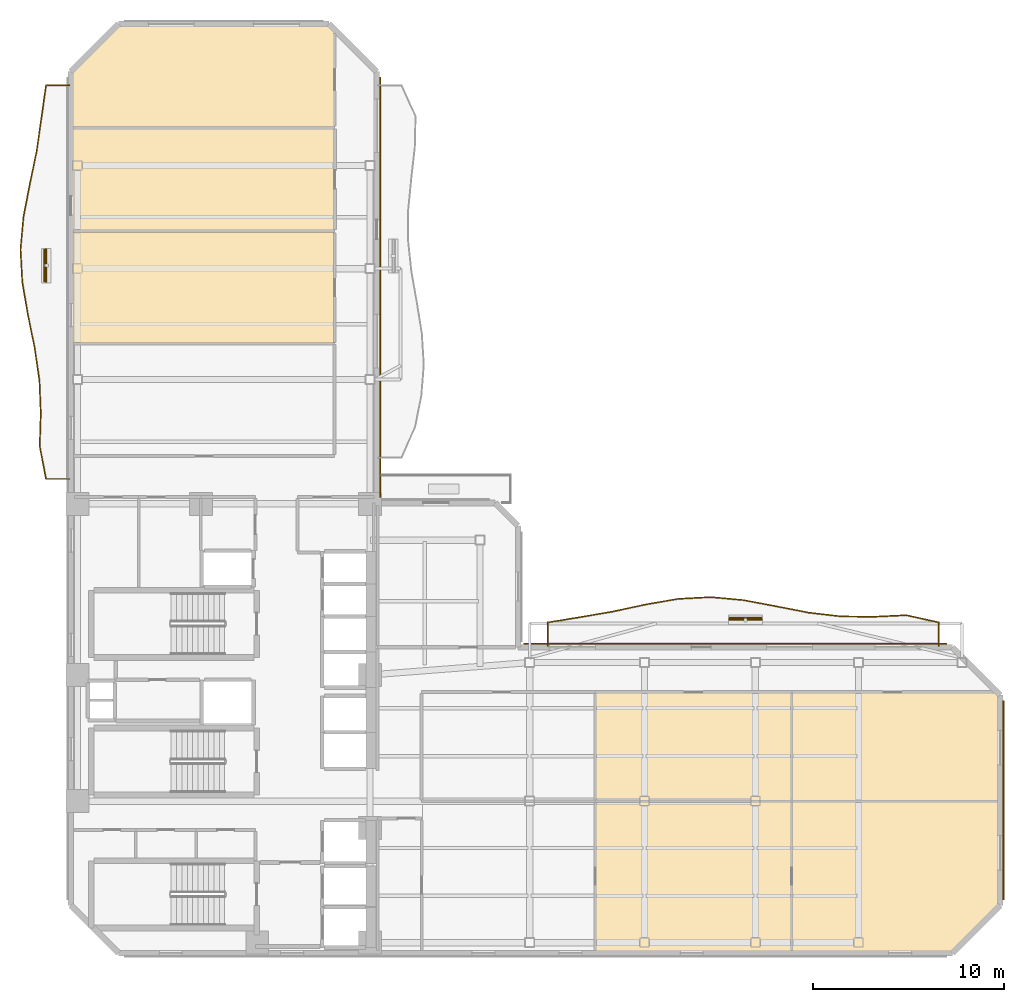
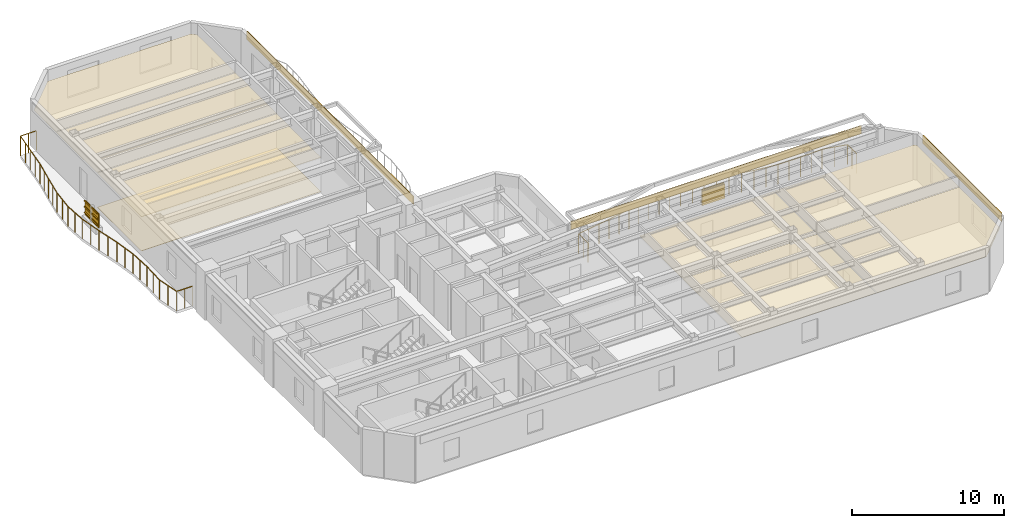
# One storey, part 11 of 12: 11 coverings, 8 shading devices, 2 railings.
"""IFC4 building model written with IfcOpenShell, lengths in metres."""

from ifc_helpers import new_model, si_unit, direction, frame, origin, origin_2d, place, context, subcontext, project, spatial, polyline, rectangle, outline, extrude, material, layer, layer_set, material_profile, profile_set, type_object, element, save


model = new_model("IFC4")

# Units and contexts
model_context = context("Model", 3, precision=1e-05, world=origin(), true_north=direction((0.0, 1.0)))
body_context = subcontext(model_context, "Body", "Model", "MODEL_VIEW")
ifc_project = project(units=[si_unit("LENGTHUNIT", "METRE"), si_unit("AREAUNIT", "SQUARE_METRE"), si_unit("VOLUMEUNIT", "CUBIC_METRE"), si_unit("PLANEANGLEUNIT", "RADIAN"), si_unit("MASSUNIT", "GRAM", prefix="KILO")], contexts=[model_context])

# Site, building, storey
site_placement = place(None, origin())
site = spatial("IfcSite", under=ifc_project, at=site_placement, CompositionType="ELEMENT")
building_placement = place(site_placement, origin())
building = spatial("IfcBuilding", under=site, at=building_placement, Name="Mawjaban Terraces University", CompositionType="ELEMENT")
storey_placement = place(building_placement, frame((0.0, 0.0, 150.199951171875)))
storey = spatial("IfcBuildingStorey", under=building, at=storey_placement, Name="L36", CompositionType="ELEMENT", Elevation=150.199951171875)

# Coverings
ifc_material_1 = material(Name="Acoustic mineral fibre ceiling tile", Category="masonry")
ifc_layer_1 = layer(ifc_material_1, 0.02001953125)
ifc_layer_set_1 = layer_set([ifc_layer_1], Name="Acoustic mineral fibre ceiling tile")
covering_type_1 = type_object("IfcCoveringType", Name="AcousticMineralCeiling_20", PredefinedType="CEILING", material=ifc_layer_set_1)
covering_1_placement = place(storey_placement, frame((0.0, 0.0, 2.75)))
element("IfcCovering", 1, at=covering_1_placement, inside=storey, type_object=covering_type_1, Name="L36 Academic Counseling Room 4 Acoustic Ceiling", PredefinedType="CEILING", context=body_context, shape_type="SweptSolid", body=[
    extrude(outline(polyline([(49.455078125, 0.114990234375), (59.679931640625, 0.114990234375), (59.679931640625, 7.919921875), (49.455078125, 7.919921875), (49.455078125, 0.114990234375)])), origin(), (0.0, 0.0, 1.0), 0.02001953125),
])
covering_2_placement = place(storey_placement, frame((0.0, 0.0, 2.75)))
element("IfcCovering", 2, at=covering_2_placement, inside=storey, type_object=covering_type_1, Name="L36 Faculty Office 5 Acoustic Ceiling", PredefinedType="CEILING", context=body_context, shape_type="SweptSolid", body=[
    extrude(outline(polyline([(59.679931640625, 7.97998046875), (59.679931640625, 13.6201171875), (49.455078125, 13.6201171875), (49.455078125, 7.97998046875), (59.679931640625, 7.97998046875)])), origin(), (0.0, 0.0, 1.0), 0.02001953125),
])
covering_3_placement = place(storey_placement, frame((0.0, 0.0, 2.75)))
element("IfcCovering", 3, at=covering_3_placement, inside=storey, type_object=covering_type_1, Name="L36 Departmental Office 6 Acoustic Ceiling", PredefinedType="CEILING", context=body_context, shape_type="SweptSolid", body=[
    extrude(outline(polyline([(59.739990234375, 0.114990234375), (68.052978515625, 0.114990234375), (70.485107421875, 2.547119140625), (70.485107421875, 7.919921875), (59.739990234375, 7.919921875), (59.739990234375, 0.114990234375)])), origin(), (0.0, 0.0, 1.0), 0.02001953125),
])
covering_4_placement = place(storey_placement, frame((0.0, 0.0, 2.75)))
element("IfcCovering", 4, at=covering_4_placement, inside=storey, type_object=covering_type_1, Name="L36 Faculty Office 7 Acoustic Ceiling", PredefinedType="CEILING", context=body_context, shape_type="SweptSolid", body=[
    extrude(outline(polyline([(70.485107421875, 7.97998046875), (70.485107421875, 13.452880859375), (70.318115234375, 13.6201171875), (59.739990234375, 13.6201171875), (59.739990234375, 7.97998046875), (70.485107421875, 7.97998046875)])), origin(), (0.0, 0.0, 1.0), 0.02001953125),
])
covering_5_placement = place(storey_placement, frame((0.0, 0.0, 2.75)))
element("IfcCovering", 5, at=covering_5_placement, inside=storey, type_object=covering_type_1, Name="L36 Quiet Reading Room 9 Acoustic Ceiling", PredefinedType="CEILING", context=body_context, shape_type="SweptSolid", body=[
    extrude(outline(polyline([(22.114990234375, 37.721923828125), (22.114990234375, 31.906005859375), (35.77001953125, 31.906005859375), (35.77001953125, 37.721923828125), (22.114990234375, 37.721923828125)])), origin(), (0.0, 0.0, 1.0), 0.02001953125),
])
covering_6_placement = place(storey_placement, frame((0.0, 0.0, 2.75)))
element("IfcCovering", 6, at=covering_6_placement, inside=storey, type_object=covering_type_1, Name="L36 Media Workshop 10 Acoustic Ceiling", PredefinedType="CEILING", context=body_context, shape_type="SweptSolid", body=[
    extrude(outline(polyline([(22.114990234375, 43.14599609375), (22.114990234375, 37.781982421875), (35.77001953125, 37.781982421875), (35.77001953125, 43.14599609375), (22.114990234375, 43.14599609375)])), origin(), (0.0, 0.0, 1.0), 0.02001953125),
])
covering_7_placement = place(storey_placement, frame((0.0, 0.0, 2.75)))
element("IfcCovering", 7, at=covering_7_placement, inside=storey, type_object=covering_type_1, Name="L36 Teaching Laboratory 11 Acoustic Ceiling", PredefinedType="CEILING", context=body_context, shape_type="SweptSolid", body=[
    extrude(outline(polyline([(35.77001953125, 48.16796875), (35.452880859375, 48.485107421875), (24.547119140625, 48.485107421875), (22.114990234375, 46.052978515625), (22.114990234375, 43.2060546875), (35.77001953125, 43.2060546875), (35.77001953125, 48.16796875)])), origin(), (0.0, 0.0, 1.0), 0.02001953125),
])

# Railings
ifc_material_2 = material(Name="Galvanised powder-coated steel S355", Category="steel")
railing_type = type_object("IfcRailingType", Name="BalconyBalustrade_1600", PredefinedType="BALUSTRADE", material=ifc_material_2)
railing_1_placement = place(storey_placement, frame((21.919921875, 24.800048828125, 0.0)))
element("IfcRailing", 8, at=railing_1_placement, inside=storey, type_object=railing_type, Name="L36 Balcony Guardrail west", PredefinedType="BALUSTRADE", context=body_context, shape_type="SweptSolid", body=[
    extrude(rectangle(XDim=0.048095703125, YDim=0.048095703125, at=origin_2d()), frame((0.0, 0.0, 1.576171875), z_axis=(-1.0, 0.0, 0.0), x_axis=(0.0, -1.0, 0.0)), (0.0, 0.0, 1.0), 1.219970703125),
    extrude(rectangle(XDim=0.048095703125, YDim=0.048095703125, at=origin_2d()), frame((-1.219970703125, 0.0, 1.576171875), z_axis=(-0.188106664476, 0.982148605242, 0.0), x_axis=(-0.982148605242, -0.188106664476, 0.0)), (0.0, 0.0, 1.0), 1.748291015625),
    extrude(rectangle(XDim=0.048095703125, YDim=0.048095703125, at=origin_2d()), frame((-1.548828125, 1.717041015625, 1.576171875), z_axis=(0.03143011033, 0.999505952041, 0.0), x_axis=(-0.999505952041, 0.03143011033, 0.0)), (0.0, 0.0, 1.0), 1.716552734375),
    extrude(rectangle(XDim=0.048095703125, YDim=0.048095703125, at=origin_2d()), frame((-1.494873046875, 3.432861328125, 1.576171875), z_axis=(-0.04020633666, 0.999191398328, 0.0), x_axis=(-0.999191398328, -0.04020633666, 0.0)), (0.0, 0.0, 1.0), 1.718505859375),
    extrude(rectangle(XDim=0.048095703125, YDim=0.048095703125, at=origin_2d()), frame((-1.56396484375, 5.14990234375, 1.576171875), z_axis=(-0.144631200017, 0.989485632024, 0.0), x_axis=(-0.989485632024, -0.144631200017, 0.0)), (0.0, 0.0, 1.0), 1.7353515625),
    extrude(rectangle(XDim=0.048095703125, YDim=0.048095703125, at=origin_2d()), frame((-1.81494140625, 6.866943359375, 1.576171875), z_axis=(-0.200964718739, 0.9795984799, 0.0), x_axis=(-0.9795984799, -0.200964718739, 0.0)), (0.0, 0.0, 1.0), 1.751708984375),
    extrude(rectangle(XDim=0.048095703125, YDim=0.048095703125, at=origin_2d()), frame((-2.1669921875, 8.5830078125, 1.576171875), z_axis=(-0.168738195739, 0.985660905839, 0.0), x_axis=(-0.985660905839, -0.168738195739, 0.0)), (0.0, 0.0, 1.0), 1.741943359375),
    extrude(rectangle(XDim=0.048095703125, YDim=0.048095703125, at=origin_2d()), frame((-2.4609375, 10.300048828125, 1.576171875), z_axis=(-0.05410153618, 0.998535439423, 0.0), x_axis=(-0.998535439423, -0.05410153618, 0.0)), (0.0, 0.0, 1.0), 1.71923828125),
    extrude(rectangle(XDim=0.048095703125, YDim=0.048095703125, at=origin_2d()), frame((-2.553955078125, 12.016845703125, 1.576171875), z_axis=(0.091659749456, 0.995790384735, 0.0), x_axis=(-0.995790384735, 0.091659749456, 0.0)), (0.0, 0.0, 1.0), 1.723388671875),
    extrude(rectangle(XDim=0.048095703125, YDim=0.048095703125, at=origin_2d()), frame((-2.39599609375, 13.73291015625, 1.576171875), z_axis=(0.190395148573, 0.981707536591, 0.0), x_axis=(-0.981707536591, 0.190395148573, 0.0)), (0.0, 0.0, 1.0), 1.7490234375),
    extrude(rectangle(XDim=0.048095703125, YDim=0.048095703125, at=origin_2d()), frame((-2.06298828125, 15.449951171875, 1.576171875), z_axis=(0.203659617405, 0.979041756126, 0.0), x_axis=(-0.979041756126, 0.203659617405, 0.0)), (0.0, 0.0, 1.0), 1.75390625),
    extrude(rectangle(XDim=0.048095703125, YDim=0.048095703125, at=origin_2d()), frame((-1.705810546875, 17.1669921875, 1.576171875), z_axis=(0.141815668625, 0.989893083182, 0.0), x_axis=(-0.989893083182, 0.141815668625, 0.0)), (0.0, 0.0, 1.0), 1.733642578125),
    extrude(rectangle(XDim=0.048095703125, YDim=0.048095703125, at=origin_2d()), frame((-1.4599609375, 18.883056640625, 1.576171875), z_axis=(0.138443408744, 0.990370346171, 0.0), x_axis=(-0.990370346171, 0.138443408744, 0.0)), (0.0, 0.0, 1.0), 1.7333984375),
    extrude(rectangle(XDim=0.048095703125, YDim=0.048095703125, at=origin_2d()), frame((-1.219970703125, 20.599853515625, 1.576171875), z_axis=(1.0, 0.0, 0.0), x_axis=(0.0, 1.0, 0.0)), (0.0, 0.0, 1.0), 1.219970703125),
    extrude(rectangle(XDim=0.0419921875, YDim=0.0419921875, at=origin_2d()), origin(), (0.0, 0.0, 1.0), 1.552001953125),
    extrude(rectangle(XDim=0.0419921875, YDim=0.0419921875, at=origin_2d()), frame((-0.60986328125, 0.0, 0.0)), (0.0, 0.0, 1.0), 1.552001953125),
    extrude(rectangle(XDim=0.0419921875, YDim=0.0419921875, at=origin_2d()), frame((-1.219970703125, 0.0, 0.0)), (0.0, 0.0, 1.0), 1.552001953125),
    extrude(rectangle(XDim=0.0419921875, YDim=0.0419921875, at=origin_2d()), frame((-1.38427734375, 0.8583984375, 0.0)), (0.0, 0.0, 1.0), 1.552001953125),
    extrude(rectangle(XDim=0.0419921875, YDim=0.0419921875, at=origin_2d()), frame((-1.548828125, 1.717041015625, 0.0)), (0.0, 0.0, 1.0), 1.552001953125),
    extrude(rectangle(XDim=0.0419921875, YDim=0.0419921875, at=origin_2d()), frame((-1.52197265625, 2.574951171875, 0.0)), (0.0, 0.0, 1.0), 1.552001953125),
    extrude(rectangle(XDim=0.0419921875, YDim=0.0419921875, at=origin_2d()), frame((-1.494873046875, 3.432861328125, 0.0)), (0.0, 0.0, 1.0), 1.552001953125),
    extrude(rectangle(XDim=0.0419921875, YDim=0.0419921875, at=origin_2d()), frame((-1.529296875, 4.29150390625, 0.0)), (0.0, 0.0, 1.0), 1.552001953125),
    extrude(rectangle(XDim=0.0419921875, YDim=0.0419921875, at=origin_2d()), frame((-1.56396484375, 5.14990234375, 0.0)), (0.0, 0.0, 1.0), 1.552001953125),
    extrude(rectangle(XDim=0.0419921875, YDim=0.0419921875, at=origin_2d()), frame((-1.689453125, 6.00830078125, 0.0)), (0.0, 0.0, 1.0), 1.552001953125),
    extrude(rectangle(XDim=0.0419921875, YDim=0.0419921875, at=origin_2d()), frame((-1.81494140625, 6.866943359375, 0.0)), (0.0, 0.0, 1.0), 1.552001953125),
    extrude(rectangle(XDim=0.0419921875, YDim=0.0419921875, at=origin_2d()), frame((-1.990966796875, 7.72509765625, 0.0)), (0.0, 0.0, 1.0), 1.552001953125),
    extrude(rectangle(XDim=0.0419921875, YDim=0.0419921875, at=origin_2d()), frame((-2.1669921875, 8.5830078125, 0.0)), (0.0, 0.0, 1.0), 1.552001953125),
    extrude(rectangle(XDim=0.0419921875, YDim=0.0419921875, at=origin_2d()), frame((-2.31396484375, 9.44140625, 0.0)), (0.0, 0.0, 1.0), 1.552001953125),
    extrude(rectangle(XDim=0.0419921875, YDim=0.0419921875, at=origin_2d()), frame((-2.4609375, 10.300048828125, 0.0)), (0.0, 0.0, 1.0), 1.552001953125),
    extrude(rectangle(XDim=0.0419921875, YDim=0.0419921875, at=origin_2d()), frame((-2.50732421875, 11.158447265625, 0.0)), (0.0, 0.0, 1.0), 1.552001953125),
    extrude(rectangle(XDim=0.0419921875, YDim=0.0419921875, at=origin_2d()), frame((-2.553955078125, 12.016845703125, 0.0)), (0.0, 0.0, 1.0), 1.552001953125),
    extrude(rectangle(XDim=0.0419921875, YDim=0.0419921875, at=origin_2d()), frame((-2.47509765625, 12.875, 0.0)), (0.0, 0.0, 1.0), 1.552001953125),
    extrude(rectangle(XDim=0.0419921875, YDim=0.0419921875, at=origin_2d()), frame((-2.39599609375, 13.73291015625, 0.0)), (0.0, 0.0, 1.0), 1.552001953125),
    extrude(rectangle(XDim=0.0419921875, YDim=0.0419921875, at=origin_2d()), frame((-2.2294921875, 14.59130859375, 0.0)), (0.0, 0.0, 1.0), 1.552001953125),
    extrude(rectangle(XDim=0.0419921875, YDim=0.0419921875, at=origin_2d()), frame((-2.06298828125, 15.449951171875, 0.0)), (0.0, 0.0, 1.0), 1.552001953125),
    extrude(rectangle(XDim=0.0419921875, YDim=0.0419921875, at=origin_2d()), frame((-1.88427734375, 16.30859375, 0.0)), (0.0, 0.0, 1.0), 1.552001953125),
    extrude(rectangle(XDim=0.0419921875, YDim=0.0419921875, at=origin_2d()), frame((-1.705810546875, 17.1669921875, 0.0)), (0.0, 0.0, 1.0), 1.552001953125),
    extrude(rectangle(XDim=0.0419921875, YDim=0.0419921875, at=origin_2d()), frame((-1.5830078125, 18.02490234375, 0.0)), (0.0, 0.0, 1.0), 1.552001953125),
    extrude(rectangle(XDim=0.0419921875, YDim=0.0419921875, at=origin_2d()), frame((-1.4599609375, 18.883056640625, 0.0)), (0.0, 0.0, 1.0), 1.552001953125),
    extrude(rectangle(XDim=0.0419921875, YDim=0.0419921875, at=origin_2d()), frame((-1.33984375, 19.741455078125, 0.0)), (0.0, 0.0, 1.0), 1.552001953125),
    extrude(rectangle(XDim=0.0419921875, YDim=0.0419921875, at=origin_2d()), frame((-1.219970703125, 20.599853515625, 0.0)), (0.0, 0.0, 1.0), 1.552001953125),
    extrude(rectangle(XDim=0.0419921875, YDim=0.0419921875, at=origin_2d()), frame((-0.60986328125, 20.599853515625, 0.0)), (0.0, 0.0, 1.0), 1.552001953125),
    extrude(rectangle(XDim=0.0419921875, YDim=0.0419921875, at=origin_2d()), frame((0.0, 20.599853515625, 0.0)), (0.0, 0.0, 1.0), 1.552001953125),
])
railing_2_placement = place(storey_placement, frame((46.946044921875, 16.080078125, 0.0)))
element("IfcRailing", 9, at=railing_2_placement, inside=storey, type_object=railing_type, Name="L36 Balcony Guardrail inner_north", PredefinedType="BALUSTRADE", context=body_context, shape_type="SweptSolid", body=[
    extrude(rectangle(XDim=0.048095703125, YDim=0.048095703125, at=origin_2d()), frame((0.0, 0.0, 1.576171875), z_axis=(0.0, 1.0, 0.0), x_axis=(-1.0, 0.0, 0.0)), (0.0, 0.0, 1.0), 1.219970703125),
    extrude(rectangle(XDim=0.048095703125, YDim=0.048095703125, at=origin_2d()), frame((0.0, 1.219970703125, 1.576171875), z_axis=(0.986979627696, 0.160845312375, 0.0), x_axis=(-0.160845312375, 0.986979627696, 0.0)), (0.0, 0.0, 1.0), 1.727294921875),
    extrude(rectangle(XDim=0.048095703125, YDim=0.048095703125, at=origin_2d()), frame((1.704833984375, 1.497802734375, 1.576171875), z_axis=(0.985517937374, 0.169571209568, 0.0), x_axis=(-0.169571209568, 0.985517937374, 0.0)), (0.0, 0.0, 1.0), 1.729248046875),
    extrude(rectangle(XDim=0.048095703125, YDim=0.048095703125, at=origin_2d()), frame((3.408935546875, 1.791015625, 1.576171875), z_axis=(0.977708022167, 0.209969101036, 0.0), x_axis=(-0.209969101036, 0.977708022167, 0.0)), (0.0, 0.0, 1.0), 1.742919921875),
    extrude(rectangle(XDim=0.048095703125, YDim=0.048095703125, at=origin_2d()), frame((5.113037109375, 2.156982421875, 1.576171875), z_axis=(0.985269689924, 0.171007713617, 0.0), x_axis=(-0.171007713617, 0.985269689924, 0.0)), (0.0, 0.0, 1.0), 1.730224609375),
    extrude(rectangle(XDim=0.048095703125, YDim=0.048095703125, at=origin_2d()), frame((6.81787109375, 2.452880859375, 1.576171875), z_axis=(0.998607144149, 0.052761459936, 0.0), x_axis=(-0.052761459936, 0.998607144149, 0.0)), (0.0, 0.0, 1.0), 1.70751953125),
    extrude(rectangle(XDim=0.048095703125, YDim=0.048095703125, at=origin_2d()), frame((8.52294921875, 2.54296875, 1.576171875), z_axis=(0.995887356961, -0.090600067575, 0.0), x_axis=(0.090600067575, 0.995887356961, 0.0)), (0.0, 0.0, 1.0), 1.711181640625),
    extrude(rectangle(XDim=0.048095703125, YDim=0.048095703125, at=origin_2d()), frame((10.22705078125, 2.387939453125, 1.576171875), z_axis=(0.982726902959, -0.185061703765, 0.0), x_axis=(0.185061703765, 0.982726902959, 0.0)), (0.0, 0.0, 1.0), 1.73486328125),
    extrude(rectangle(XDim=0.048095703125, YDim=0.048095703125, at=origin_2d()), frame((11.931884765625, 2.06689453125, 1.576171875), z_axis=(0.981436405024, -0.191787859091, 0.0), x_axis=(0.191787859091, 0.981436405024, 0.0)), (0.0, 0.0, 1.0), 1.736328125),
    extrude(rectangle(XDim=0.048095703125, YDim=0.048095703125, at=origin_2d()), frame((13.635986328125, 1.73388671875, 1.576171875), z_axis=(0.99319421715, -0.116469940413, 0.0), x_axis=(0.116469940413, 0.99319421715, 0.0)), (0.0, 0.0, 1.0), 1.716796875),
    extrude(rectangle(XDim=0.048095703125, YDim=0.048095703125, at=origin_2d()), frame((15.341064453125, 1.533935546875, 1.576171875), z_axis=(0.999955286121, -0.009456519399, 0.0), x_axis=(0.009456519399, 0.999955286121, 0.0)), (0.0, 0.0, 1.0), 1.703857421875),
    extrude(rectangle(XDim=0.048095703125, YDim=0.048095703125, at=origin_2d()), frame((17.044921875, 1.517822265625, 1.576171875), z_axis=(0.998925636515, 0.046341910972, 0.0), x_axis=(-0.046341910972, 0.998925636515, 0.0)), (0.0, 0.0, 1.0), 1.70703125),
    extrude(rectangle(XDim=0.048095703125, YDim=0.048095703125, at=origin_2d()), frame((18.75, 1.596923828125, 1.576171875), z_axis=(0.976390723534, -0.216011932531, 0.0), x_axis=(0.216011932531, 0.976390723534, 0.0)), (0.0, 0.0, 1.0), 1.7451171875),
    extrude(rectangle(XDim=0.048095703125, YDim=0.048095703125, at=origin_2d()), frame((20.453857421875, 1.219970703125, 1.576171875), z_axis=(0.0, -1.0, 0.0), x_axis=(1.0, 0.0, 0.0)), (0.0, 0.0, 1.0), 1.219970703125),
    extrude(rectangle(XDim=0.0419921875, YDim=0.0419921875, at=origin_2d()), origin(), (0.0, 0.0, 1.0), 1.552001953125),
    extrude(rectangle(XDim=0.0419921875, YDim=0.0419921875, at=origin_2d()), frame((0.0, 0.60986328125, 0.0)), (0.0, 0.0, 1.0), 1.552001953125),
    extrude(rectangle(XDim=0.0419921875, YDim=0.0419921875, at=origin_2d()), frame((0.0, 1.219970703125, 0.0)), (0.0, 0.0, 1.0), 1.552001953125),
    extrude(rectangle(XDim=0.0419921875, YDim=0.0419921875, at=origin_2d()), frame((0.8525390625, 1.35888671875, 0.0)), (0.0, 0.0, 1.0), 1.552001953125),
    extrude(rectangle(XDim=0.0419921875, YDim=0.0419921875, at=origin_2d()), frame((1.704833984375, 1.497802734375, 0.0)), (0.0, 0.0, 1.0), 1.552001953125),
    extrude(rectangle(XDim=0.0419921875, YDim=0.0419921875, at=origin_2d()), frame((2.556884765625, 1.64453125, 0.0)), (0.0, 0.0, 1.0), 1.552001953125),
    extrude(rectangle(XDim=0.0419921875, YDim=0.0419921875, at=origin_2d()), frame((3.408935546875, 1.791015625, 0.0)), (0.0, 0.0, 1.0), 1.552001953125),
    extrude(rectangle(XDim=0.0419921875, YDim=0.0419921875, at=origin_2d()), frame((4.260986328125, 1.97412109375, 0.0)), (0.0, 0.0, 1.0), 1.552001953125),
    extrude(rectangle(XDim=0.0419921875, YDim=0.0419921875, at=origin_2d()), frame((5.113037109375, 2.156982421875, 0.0)), (0.0, 0.0, 1.0), 1.552001953125),
    extrude(rectangle(XDim=0.0419921875, YDim=0.0419921875, at=origin_2d()), frame((5.96533203125, 2.304931640625, 0.0)), (0.0, 0.0, 1.0), 1.552001953125),
    extrude(rectangle(XDim=0.0419921875, YDim=0.0419921875, at=origin_2d()), frame((6.81787109375, 2.452880859375, 0.0)), (0.0, 0.0, 1.0), 1.552001953125),
    extrude(rectangle(XDim=0.0419921875, YDim=0.0419921875, at=origin_2d()), frame((7.67041015625, 2.498046875, 0.0)), (0.0, 0.0, 1.0), 1.552001953125),
    extrude(rectangle(XDim=0.0419921875, YDim=0.0419921875, at=origin_2d()), frame((8.52294921875, 2.54296875, 0.0)), (0.0, 0.0, 1.0), 1.552001953125),
    extrude(rectangle(XDim=0.0419921875, YDim=0.0419921875, at=origin_2d()), frame((9.375, 2.46533203125, 0.0)), (0.0, 0.0, 1.0), 1.552001953125),
    extrude(rectangle(XDim=0.0419921875, YDim=0.0419921875, at=origin_2d()), frame((10.22705078125, 2.387939453125, 0.0)), (0.0, 0.0, 1.0), 1.552001953125),
    extrude(rectangle(XDim=0.0419921875, YDim=0.0419921875, at=origin_2d()), frame((11.07958984375, 2.2275390625, 0.0)), (0.0, 0.0, 1.0), 1.552001953125),
    extrude(rectangle(XDim=0.0419921875, YDim=0.0419921875, at=origin_2d()), frame((11.931884765625, 2.06689453125, 0.0)), (0.0, 0.0, 1.0), 1.552001953125),
    extrude(rectangle(XDim=0.0419921875, YDim=0.0419921875, at=origin_2d()), frame((12.783935546875, 1.900390625, 0.0)), (0.0, 0.0, 1.0), 1.552001953125),
    extrude(rectangle(XDim=0.0419921875, YDim=0.0419921875, at=origin_2d()), frame((13.635986328125, 1.73388671875, 0.0)), (0.0, 0.0, 1.0), 1.552001953125),
    extrude(rectangle(XDim=0.0419921875, YDim=0.0419921875, at=origin_2d()), frame((14.488525390625, 1.6337890625, 0.0)), (0.0, 0.0, 1.0), 1.552001953125),
    extrude(rectangle(XDim=0.0419921875, YDim=0.0419921875, at=origin_2d()), frame((15.341064453125, 1.533935546875, 0.0)), (0.0, 0.0, 1.0), 1.552001953125),
    extrude(rectangle(XDim=0.0419921875, YDim=0.0419921875, at=origin_2d()), frame((16.19287109375, 1.52587890625, 0.0)), (0.0, 0.0, 1.0), 1.552001953125),
    extrude(rectangle(XDim=0.0419921875, YDim=0.0419921875, at=origin_2d()), frame((17.044921875, 1.517822265625, 0.0)), (0.0, 0.0, 1.0), 1.552001953125),
    extrude(rectangle(XDim=0.0419921875, YDim=0.0419921875, at=origin_2d()), frame((17.8974609375, 1.557373046875, 0.0)), (0.0, 0.0, 1.0), 1.552001953125),
    extrude(rectangle(XDim=0.0419921875, YDim=0.0419921875, at=origin_2d()), frame((18.75, 1.596923828125, 0.0)), (0.0, 0.0, 1.0), 1.552001953125),
    extrude(rectangle(XDim=0.0419921875, YDim=0.0419921875, at=origin_2d()), frame((19.60205078125, 1.408447265625, 0.0)), (0.0, 0.0, 1.0), 1.552001953125),
    extrude(rectangle(XDim=0.0419921875, YDim=0.0419921875, at=origin_2d()), frame((20.453857421875, 1.219970703125, 0.0)), (0.0, 0.0, 1.0), 1.552001953125),
    extrude(rectangle(XDim=0.0419921875, YDim=0.0419921875, at=origin_2d()), frame((20.453857421875, 0.60986328125, 0.0)), (0.0, 0.0, 1.0), 1.552001953125),
    extrude(rectangle(XDim=0.0419921875, YDim=0.0419921875, at=origin_2d()), frame((20.453857421875, 0.0, 0.0)), (0.0, 0.0, 1.0), 1.552001953125),
])

# Shading devices
ifc_material_3 = material(Name="Glazed architectural terracotta ceramic", Category="masonry")
ifc_material_profile = material_profile(ifc_material_3, rectangle(XDim=0.06494140625, YDim=0.110107421875, at=origin_2d()), Name="TBAG110X65")
ifc_profile_set = profile_set([ifc_material_profile], Name="Glazed architectural terracotta ceramic")
shading_device_type_1 = type_object("IfcShadingDeviceType", Name="TerracottaBaguette_110x65", PredefinedType="USERDEFINED", material=ifc_profile_set)
for number, where, z_axis, x_axis, name in (
    (10, (20.6259765625, 35.10888671875, 0.679931640625), (0.0, 1.0, 0.0), (-1.0, 0.0, 0.0), "L36 Horizontal Terracotta Baguette west.1"),
    (11, (20.6259765625, 35.10888671875, 1.150146484375), (0.0, 1.0, 0.0), (-1.0, 0.0, 0.0), "L36 Horizontal Terracotta Baguette west.2"),
    (12, (20.6259765625, 35.10888671875, 1.6201171875), (0.0, 1.0, 0.0), (-1.0, 0.0, 0.0), "L36 Horizontal Terracotta Baguette west.3"),
):
    element("IfcShadingDevice", number, at=place(storey_placement, frame(where, z_axis=z_axis, x_axis=x_axis)), inside=storey, type_object=shading_device_type_1, Name=name, ObjectType="BAGUETTE", PredefinedType="USERDEFINED", context=body_context, shape_type="SweptSolid", body=[
        extrude(rectangle(XDim=0.06494140625, YDim=0.110107421875, at=origin_2d()), origin(), (0.0, 0.0, 1.0), 1.7001953125),
    ])
for number, where, z_axis, x_axis, name in (
    (13, (56.43505859375, 17.52392578125, 0.679931640625), (1.0, 0.0, 0.0), (0.0, 1.0, 0.0), "L36 Horizontal Terracotta Baguette inner_north.1"),
    (14, (56.43505859375, 17.52392578125, 1.150146484375), (1.0, 0.0, 0.0), (0.0, 1.0, 0.0), "L36 Horizontal Terracotta Baguette inner_north.2"),
    (15, (56.43505859375, 17.52392578125, 1.6201171875), (1.0, 0.0, 0.0), (0.0, 1.0, 0.0), "L36 Horizontal Terracotta Baguette inner_north.3"),
):
    element("IfcShadingDevice", number, at=place(storey_placement, frame(where, z_axis=z_axis, x_axis=x_axis)), inside=storey, type_object=shading_device_type_1, Name=name, ObjectType="BAGUETTE", PredefinedType="USERDEFINED", context=body_context, shape_type="SweptSolid", body=[
        extrude(rectangle(XDim=0.06494140625, YDim=0.110107421875, at=origin_2d()), origin(), (0.0, 0.0, 1.0), 1.699951171875),
    ])
ifc_layer_2 = layer(ifc_material_3, 0.080078125)
ifc_layer_set_2 = layer_set([ifc_layer_2], Name="Glazed architectural terracotta ceramic")
shading_device_type_2 = type_object("IfcShadingDeviceType", Name="TerracottaScreen_Perforated", PredefinedType="USERDEFINED", material=ifc_layer_set_2)
for number, where, z_axis, x_axis, name in (
    (16, (20.7109375, 35.958984375, 0.440185546875), (0.0, 0.0, 1.0), (0.0, 1.0, 0.0), "L36 Balcony Perforated Terracotta Screen west"),
    (17, (57.284912109375, 17.43896484375, 0.440185546875), (0.0, 0.0, 1.0), (1.0, 0.0, 0.0), "L36 Balcony Perforated Terracotta Screen inner_north"),
):
    element("IfcShadingDevice", number, at=place(storey_placement, frame(where, z_axis=z_axis, x_axis=x_axis)), inside=storey, type_object=shading_device_type_2, Name=name, ObjectType="SCREEN", PredefinedType="USERDEFINED", context=body_context, shape_type="SweptSolid", body=[
        extrude(rectangle(XDim=1.75, YDim=0.080078125, at=origin_2d()), origin(), (0.0, 0.0, 1.0), 1.14990234375),
    ])

# Coverings
ifc_material_4 = material(Name="Glazed architectural terracotta rainscreen", Category="masonry")
ifc_layer_3 = layer(ifc_material_4, 0.06005859375)
ifc_layer_set_3 = layer_set([ifc_layer_3], Name="Glazed architectural terracotta rainscreen")
covering_type_2 = type_object("IfcCoveringType", Name="TerracottaSpandrelCladding_60", PredefinedType="CLADDING", material=ifc_layer_set_3)
covering_8_placement = place(storey_placement, frame((70.77490234375, 8.0, 3.01513671875), z_axis=(0.0, 0.0, 1.0), x_axis=(0.0, 1.0, 0.0)))
element("IfcCovering", 18, at=covering_8_placement, inside=storey, type_object=covering_type_2, Name="L36 Terracotta Spandrel Cladding 3", PredefinedType="CLADDING", context=body_context, shape_type="SweptSolid", body=[
    extrude(rectangle(XDim=10.39990234375, YDim=0.06005859375, at=origin_2d()), origin(), (0.0, 0.0, 1.0), 0.64990234375),
])
covering_9_placement = place(storey_placement, frame((56.7470703125, 16.175048828125, 3.01513671875), z_axis=(0.0, 0.0, 1.0), x_axis=(-1.0, 0.0, 0.0)))
element("IfcCovering", 19, at=covering_9_placement, inside=storey, type_object=covering_type_2, Name="L36 Terracotta Spandrel Cladding 5", PredefinedType="CLADDING", context=body_context, shape_type="SweptSolid", body=[
    extrude(rectangle(XDim=22.10595703125, YDim=0.06005859375, at=origin_2d()), origin(), (0.0, 0.0, 1.0), 0.64990234375),
])
covering_10_placement = place(storey_placement, frame((38.175048828125, 34.824951171875, 3.01513671875), z_axis=(0.0, 0.0, 1.0), x_axis=(0.0, 1.0, 0.0)))
element("IfcCovering", 20, at=covering_10_placement, inside=storey, type_object=covering_type_2, Name="L36 Terracotta Spandrel Cladding 9", PredefinedType="CLADDING", context=body_context, shape_type="SweptSolid", body=[
    extrude(rectangle(XDim=21.949951171875, YDim=0.06005859375, at=origin_2d()), origin(), (0.0, 0.0, 1.0), 0.64990234375),
])
ifc_material_5 = material(Name="Polished Hijazi granite terrazzo flooring", Category="masonry")
ifc_layer_4 = layer(ifc_material_5, 0.02490234375)
ifc_layer_set_4 = layer_set([ifc_layer_4], Name="Polished Hijazi granite terrazzo flooring")
covering_type_3 = type_object("IfcCoveringType", Name="TerrazzoConcourseFlooring_25", PredefinedType="FLOORING", material=ifc_layer_set_4)
covering_11_placement = place(storey_placement, origin())
element("IfcCovering", 21, at=covering_11_placement, inside=storey, type_object=covering_type_3, Name="L36 Quiet Reading Room 9 Terrazzo Flooring", PredefinedType="FLOORING", context=body_context, shape_type="SweptSolid", body=[
    extrude(outline(polyline([(22.114990234375, 37.721923828125), (22.114990234375, 31.906005859375), (35.77001953125, 31.906005859375), (35.77001953125, 37.721923828125), (22.114990234375, 37.721923828125)])), origin(), (0.0, 0.0, 1.0), 0.025146484375),
])

save(model, "model.ifc")
